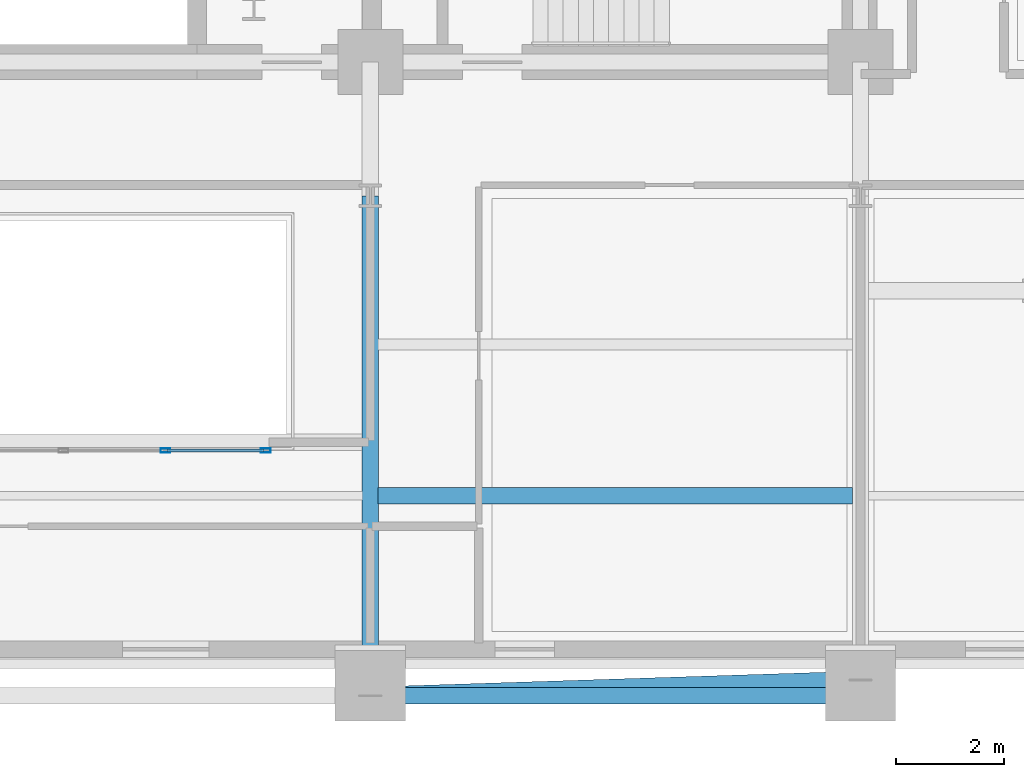
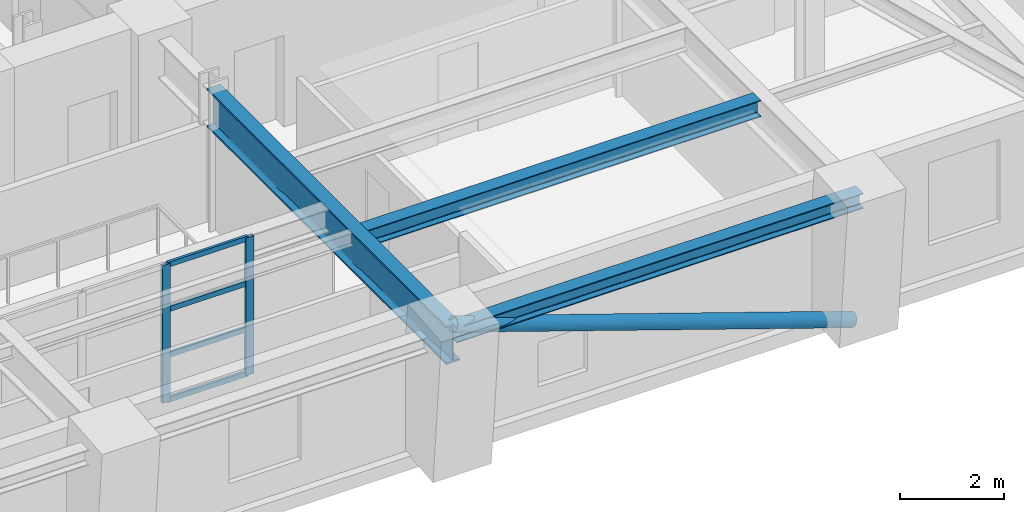
# One storey, part 4 of 14: 7 members, 3 beams, 1 element without a shape of its own.
"""IFC4 building model written with IfcOpenShell, lengths in metres."""

from ifc_helpers import new_model, si_unit, direction, frame, origin, origin_2d, place, context, subcontext, project, spatial, hollow_rectangle, hollow_circle, i_section, extrude, material, layer, layer_set, material_profile, profile_set, type_object, element, aggregate, save


model = new_model("IFC4")

# Units and contexts
model_context = context("Model", 3, precision=1e-05, world=origin(), true_north=direction((0.0, 1.0)))
body_context = subcontext(model_context, "Body", "Model", "MODEL_VIEW")
ifc_project = project(units=[si_unit("LENGTHUNIT", "METRE"), si_unit("AREAUNIT", "SQUARE_METRE"), si_unit("VOLUMEUNIT", "CUBIC_METRE"), si_unit("PLANEANGLEUNIT", "RADIAN"), si_unit("MASSUNIT", "GRAM", prefix="KILO")], contexts=[model_context])

# Site, building, storey
site_placement = place(None, origin())
site = spatial("IfcSite", under=ifc_project, at=site_placement, CompositionType="ELEMENT")
building_placement = place(site_placement, origin())
building = spatial("IfcBuilding", under=site, at=building_placement, Name="Zarnavel Station Tower", CompositionType="ELEMENT")
storey_placement = place(building_placement, frame((0.0, 0.0, 108.300048828125)))
storey = spatial("IfcBuildingStorey", under=building, at=storey_placement, Name="L29", CompositionType="ELEMENT", Elevation=108.300048828125)

# Curtain wall, members
ifc_material_1 = material(Name="Aluminium Dark Anodised and Solar-Control Glass", Category="aluminium")
ifc_layer = layer(ifc_material_1, 0.179931640625)
ifc_layer_set = layer_set([ifc_layer], Name="CWS3")
curtain_wall_type = type_object("IfcCurtainWallType", Name="CWS3", PredefinedType="NOTDEFINED", material=ifc_layer_set)
curtain_wall_placement = place(storey_placement, origin())
curtain_wall = element("IfcCurtainWall", 1, at=curtain_wall_placement, inside=storey, type_object=curtain_wall_type, Name="L29 Curtain Wall CWS3-L29-AS", PredefinedType="NOTDEFINED")
ifc_material_2 = material(Name="Steel S355J2 (Black Fluoropolymer Coated)", Category="steel")
ifc_material_profile_1 = material_profile(ifc_material_2, hollow_rectangle(XDim=0.080078125, YDim=0.179931640625, WallThickness=0.00634765625, at=origin_2d()), Name="RHS180x80x6.3")
ifc_profile_set_1 = profile_set([ifc_material_profile_1], Name="Steel S355J2 (Black Fluoropolymer Coated)")
member_type_1 = type_object("IfcMemberType", Name="CWS3_MUL", PredefinedType="MULLION", material=ifc_profile_set_1)
member_1_placement = place(storey_placement, frame((32.566650390625, 20.64990234375, 0.0), z_axis=(0.0, 0.0, 1.0), x_axis=(0.0, 1.0, 0.0)))
member_1 = element("IfcMember", 2, at=member_1_placement, type_object=member_type_1, Name="CW3 mullion 6", PredefinedType="MULLION", context=body_context, shape_type="SweptSolid", body=[
    extrude(hollow_rectangle(XDim=0.080078125, YDim=0.179931640625, WallThickness=0.00634765625, at=origin_2d()), origin(), (0.0, 0.0, 1.0), 3.239990234375),
])
member_2_placement = place(storey_placement, frame((34.419921875, 20.64990234375, 0.0), z_axis=(0.0, 0.0, 1.0), x_axis=(0.0, 1.0, 0.0)))
member_2 = element("IfcMember", 3, at=member_2_placement, type_object=member_type_1, Name="CW3 mullion 7", PredefinedType="MULLION", context=body_context, shape_type="SweptSolid", body=[
    extrude(hollow_rectangle(XDim=0.080078125, YDim=0.179931640625, WallThickness=0.00634765625, at=origin_2d()), origin(), (0.0, 0.0, 1.0), 3.239990234375),
])
ifc_material_3 = material(Name="Steel S355J2 (Black Fluoropolymer Coated)", Category="steel")
ifc_material_profile_2 = material_profile(ifc_material_3, hollow_rectangle(XDim=0.06005859375, YDim=0.1201171875, WallThickness=0.0048828125, at=origin_2d()), Name="RHS120x60x5")
ifc_profile_set_2 = profile_set([ifc_material_profile_2], Name="Steel S355J2 (Black Fluoropolymer Coated)")
member_type_2 = type_object("IfcMemberType", Name="CWS3_TRN", PredefinedType="USERDEFINED", material=ifc_profile_set_2)
member_3_placement = place(storey_placement, frame((32.5966796875, 20.64990234375, 0.030029296875), z_axis=(1.0, 0.0, 0.0), x_axis=(0.0, 1.0, 0.0)))
member_3 = element("IfcMember", 4, at=member_3_placement, type_object=member_type_2, Name="CW3 transom 6.1", ObjectType="TRANSOM", PredefinedType="USERDEFINED", context=body_context, shape_type="SweptSolid", body=[
    extrude(hollow_rectangle(XDim=0.06005859375, YDim=0.1201171875, WallThickness=0.0048828125, at=origin_2d()), origin(), (0.0, 0.0, 1.0), 1.793212890625),
])
member_4_placement = place(storey_placement, frame((32.5966796875, 20.64990234375, 1.079833984375), z_axis=(1.0, 0.0, 0.0), x_axis=(0.0, 1.0, 0.0)))
member_4 = element("IfcMember", 5, at=member_4_placement, type_object=member_type_2, Name="CW3 transom 6.2", ObjectType="TRANSOM", PredefinedType="USERDEFINED", context=body_context, shape_type="SweptSolid", body=[
    extrude(hollow_rectangle(XDim=0.06005859375, YDim=0.1201171875, WallThickness=0.0048828125, at=origin_2d()), origin(), (0.0, 0.0, 1.0), 1.793212890625),
])
member_5_placement = place(storey_placement, frame((32.5966796875, 20.64990234375, 2.159912109375), z_axis=(1.0, 0.0, 0.0), x_axis=(0.0, 1.0, 0.0)))
member_5 = element("IfcMember", 6, at=member_5_placement, type_object=member_type_2, Name="CW3 transom 6.3", ObjectType="TRANSOM", PredefinedType="USERDEFINED", context=body_context, shape_type="SweptSolid", body=[
    extrude(hollow_rectangle(XDim=0.06005859375, YDim=0.1201171875, WallThickness=0.0048828125, at=origin_2d()), origin(), (0.0, 0.0, 1.0), 1.793212890625),
])
member_6_placement = place(storey_placement, frame((32.5966796875, 20.64990234375, 3.2099609375), z_axis=(1.0, 0.0, 0.0), x_axis=(0.0, 1.0, 0.0)))
member_6 = element("IfcMember", 7, at=member_6_placement, type_object=member_type_2, Name="CW3 transom 6.4", ObjectType="TRANSOM", PredefinedType="USERDEFINED", context=body_context, shape_type="SweptSolid", body=[
    extrude(hollow_rectangle(XDim=0.06005859375, YDim=0.1201171875, WallThickness=0.0048828125, at=origin_2d()), origin(), (0.0, 0.0, 1.0), 1.793212890625),
])
aggregate(curtain_wall, [member_1, member_2, member_3, member_4, member_5, member_6])

# Member
ifc_material_4 = material(Name="Steel S355J2", Category="steel")
ifc_material_profile_3 = material_profile(ifc_material_4, hollow_circle(Radius=0.161865234375, WallThickness=0.012451171875, at=origin_2d()), Name="CHS323.9x12.5")
ifc_profile_set_3 = profile_set([ifc_material_profile_3], Name="Steel S355J2")
member_type_3 = type_object("IfcMemberType", Name="DB_EXT_CHS324", PredefinedType="BRACE", material=ifc_profile_set_3)
member_7_placement = place(storey_placement, frame((45.39990234375, 16.413818359375, 0.0), z_axis=(-0.94104157458, -0.030540439576, 0.336909537505), x_axis=(0.032436790978, -0.999473788846, 0.0)))
element("IfcMember", 8, at=member_7_placement, inside=storey, type_object=member_type_3, Name="L29 Persian Exterior Diagonal Frame Brace 2", PredefinedType="BRACE", context=body_context, shape_type="SweptSolid", body=[
    extrude(hollow_circle(Radius=0.161865234375, WallThickness=0.012451171875, at=origin_2d()), origin(), (0.0, 0.0, 1.0), 9.61669921875),
])

# Beams
ifc_material_5 = material(Name="Steel S355J2", Category="steel")
ifc_material_profile_4 = material_profile(ifc_material_5, i_section(OverallWidth=0.300048828125, OverallDepth=0.360107421875, WebThickness=0.012451171875, FlangeThickness=0.0224609375, FilletRadius=0.027099609375, at=origin_2d()), Name="HEB360")
ifc_profile_set_4 = profile_set([ifc_material_profile_4], Name="Steel S355J2")
beam_type_1 = type_object("IfcBeamType", Name="EB_HEB360", PredefinedType="SPANDREL", material=ifc_profile_set_4)
beam_1_placement = place(storey_placement, frame((36.35009765625, 16.1201171875, 3.06005859375), z_axis=(1.0, 0.0, 0.0), x_axis=(0.0, 1.0, 0.0)))
element("IfcBeam", 9, at=beam_1_placement, inside=storey, type_object=beam_type_1, Name="L29 South Raked Spandrel 4", PredefinedType="SPANDREL", context=body_context, shape_type="SweptSolid", body=[
    extrude(i_section(OverallWidth=0.300048828125, OverallDepth=0.360107421875, WebThickness=0.012451171875, FlangeThickness=0.0224609375, FilletRadius=0.027099609375, at=origin_2d()), origin(), (0.0, 0.0, 1.0), 9.0498046875),
])
ifc_material_6 = material(Name="Steel S355J2", Category="steel")
ifc_material_profile_5 = material_profile(ifc_material_6, i_section(OverallWidth=0.300048828125, OverallDepth=0.389892578125, WebThickness=0.010986328125, FlangeThickness=0.01904296875, FilletRadius=0.027099609375, at=origin_2d()), Name="HEA400")
ifc_profile_set_5 = profile_set([ifc_material_profile_5], Name="Steel S355J2")
beam_type_2 = type_object("IfcBeamType", Name="FB_HEA400", PredefinedType="BEAM", material=ifc_profile_set_5)
beam_2_placement = place(storey_placement, frame((36.4951171875, 19.8134765625, 3.044921875), z_axis=(1.0, 0.0, 0.0), x_axis=(0.0, 1.0, 0.0)))
element("IfcBeam", 10, at=beam_2_placement, inside=storey, type_object=beam_type_2, Name="L29 East Bay Beam 1", PredefinedType="BEAM", context=body_context, shape_type="SweptSolid", body=[
    extrude(i_section(OverallWidth=0.300048828125, OverallDepth=0.389892578125, WebThickness=0.010986328125, FlangeThickness=0.01904296875, FilletRadius=0.027099609375, at=origin_2d()), origin(), (0.0, 0.0, 1.0), 8.759765625),
])
ifc_material_7 = material(Name="Steel S460M", Category="steel")
ifc_material_profile_6 = material_profile(ifc_material_7, i_section(OverallWidth=0.302001953125, OverallDepth=0.909912109375, WebThickness=0.02099609375, FlangeThickness=0.0400390625, FilletRadius=0.030029296875, at=origin_2d()), Name="HEM900")
ifc_profile_set_6 = profile_set([ifc_material_profile_6], Name="Steel S460M")
beam_type_3 = type_object("IfcBeamType", Name="TG_HEM900", PredefinedType="USERDEFINED", material=ifc_profile_set_6)
beam_3_placement = place(storey_placement, frame((36.35009765625, 16.1201171875, 2.784912109375), z_axis=(0.0, 1.0, 0.0), x_axis=(-1.0, 0.0, 0.0)))
element("IfcBeam", 11, at=beam_3_placement, inside=storey, type_object=beam_type_3, Name="L29 South-Zone NS Girder 4", ObjectType="GIRDER", PredefinedType="USERDEFINED", context=body_context, shape_type="SweptSolid", body=[
    extrude(i_section(OverallWidth=0.302001953125, OverallDepth=0.909912109375, WebThickness=0.02099609375, FlangeThickness=0.0400390625, FilletRadius=0.030029296875, at=origin_2d()), origin(), (0.0, 0.0, 1.0), 9.22998046875),
])

save(model, "model.ifc")
